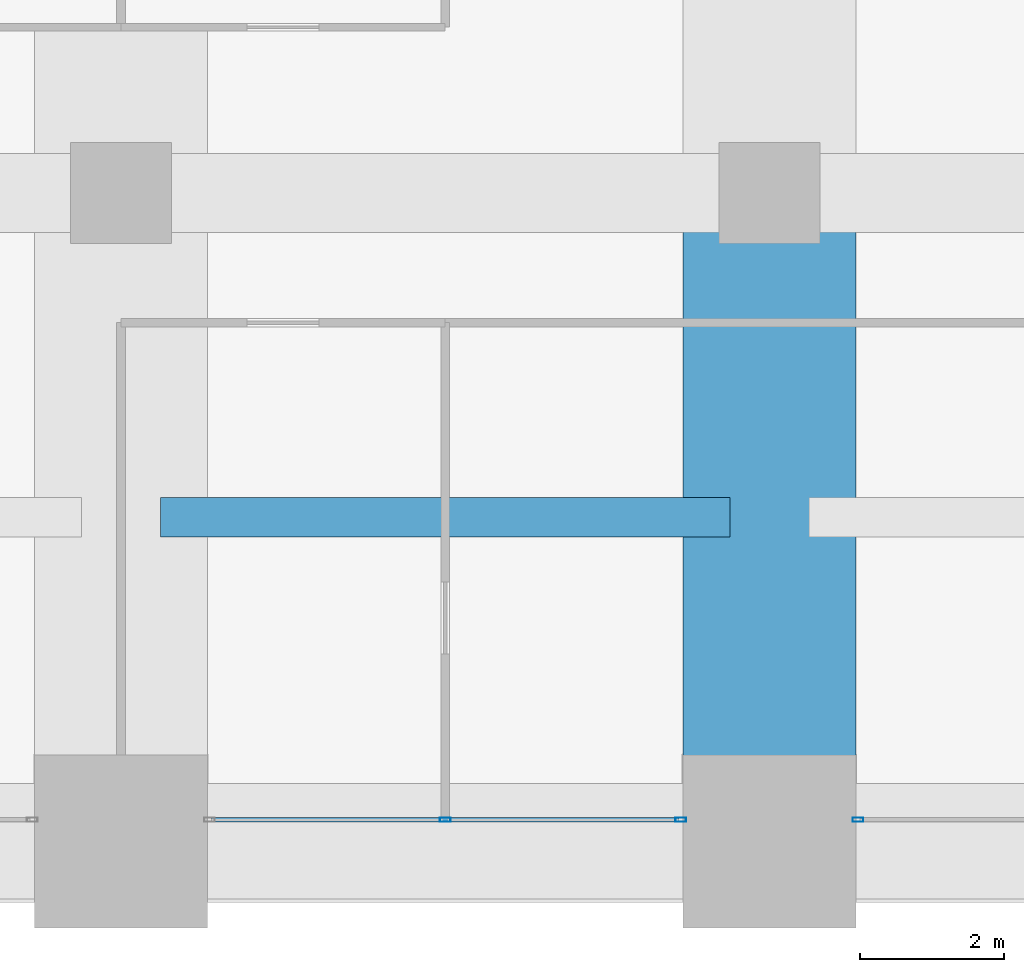
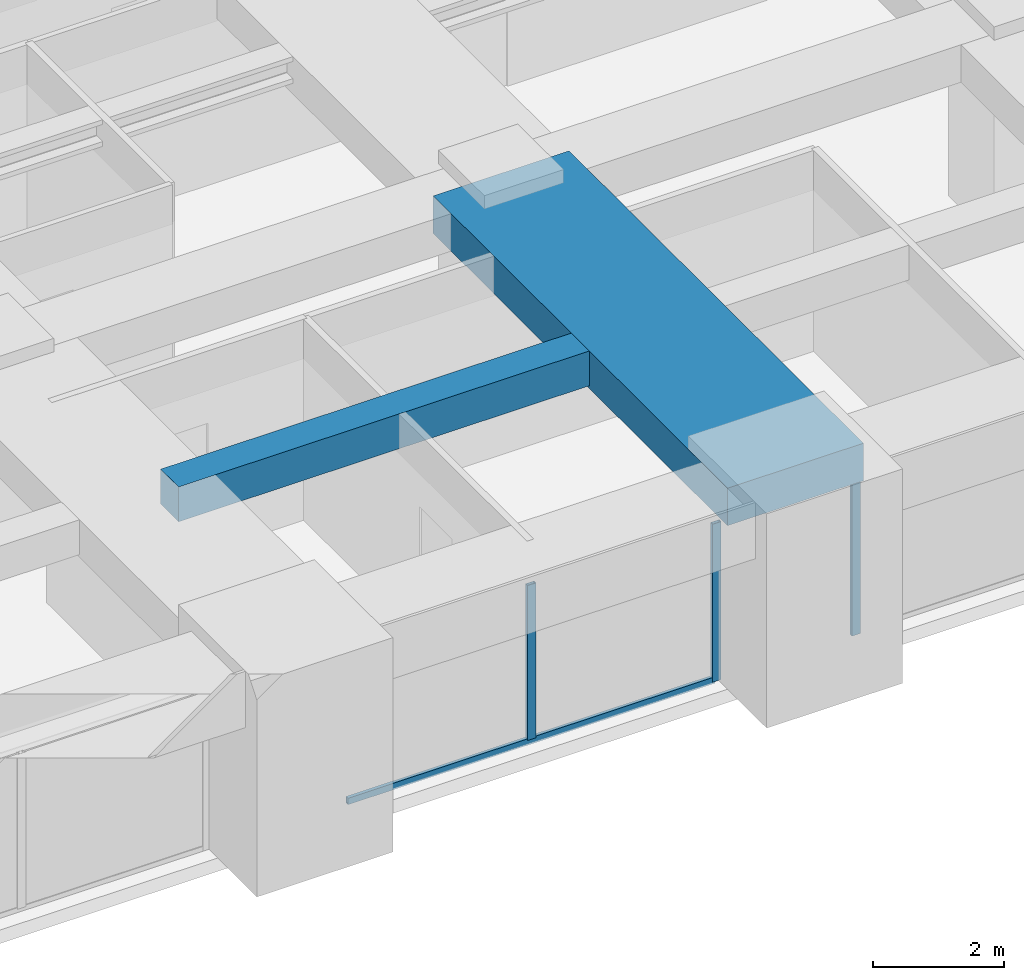
# One storey, part 13 of 34: 4 members, 2 beams, 2 elements without a shape of their own.
"""IFC4 building model written with IfcOpenShell, lengths in metres."""

from ifc_helpers import new_model, si_unit, direction, frame, origin, origin_2d, place, context, subcontext, project, spatial, rectangle, hollow_rectangle, extrude, material, material_profile, profile_set, type_object, element, aggregate, save


model = new_model("IFC4")

# Units and contexts
model_context = context("Model", 3, precision=1e-05, world=origin(), true_north=direction((0.0, 1.0)))
body_context = subcontext(model_context, "Body", "Model", "MODEL_VIEW")
ifc_project = project(units=[si_unit("LENGTHUNIT", "METRE"), si_unit("AREAUNIT", "SQUARE_METRE"), si_unit("VOLUMEUNIT", "CUBIC_METRE"), si_unit("PLANEANGLEUNIT", "RADIAN"), si_unit("MASSUNIT", "GRAM", prefix="KILO")], contexts=[model_context])

# Site, building, storey
site_placement = place(None, origin())
site = spatial("IfcSite", under=ifc_project, at=site_placement, CompositionType="ELEMENT")
building_placement = place(site_placement, origin())
building = spatial("IfcBuilding", under=site, at=building_placement, Name="Zorevar Civic Tower", CompositionType="ELEMENT")
storey_placement = place(building_placement, frame((0.0, 0.0, 226.199951171875)))
storey = spatial("IfcBuildingStorey", under=building, at=storey_placement, Name="L55", CompositionType="ELEMENT", Elevation=226.199951171875)

# Beams
ifc_material_1 = material(Name="Concrete C50/60", Category="concrete")
ifc_material_profile_1 = material_profile(ifc_material_1, rectangle(XDim=2.39990234375, YDim=0.699951171875, at=origin_2d()), Name="RC 2400x700")
ifc_profile_set_1 = profile_set([ifc_material_profile_1], Name="Concrete C50/60")
beam_type_1 = type_object("IfcBeamType", Name="Beam RC 2400x700", PredefinedType="BEAM", material=ifc_profile_set_1)
beam_1_placement = place(storey_placement, frame((36.0, 0.0, 3.400146484375), z_axis=(0.0, 1.0, 0.0), x_axis=(-1.0, 0.0, 0.0)))
element("IfcBeam", 1, at=beam_1_placement, inside=storey, type_object=beam_type_1, Name="Girder L56", PredefinedType="BEAM", context=body_context, shape_type="SweptSolid", body=[
    extrude(rectangle(XDim=2.39990234375, YDim=0.699951171875, at=origin_2d()), origin(), (0.0, 0.0, 1.0), 9.0),
])
ifc_material_2 = material(Name="Concrete C50/60", Category="concrete")
ifc_material_profile_2 = material_profile(ifc_material_2, rectangle(XDim=0.550048828125, YDim=0.64990234375, at=origin_2d()), Name="RC 550x650")
ifc_profile_set_2 = profile_set([ifc_material_profile_2], Name="Concrete C50/60")
beam_type_2 = type_object("IfcBeamType", Name="Beam RC 550x650", PredefinedType="BEAM", material=ifc_profile_set_2)
beam_2_placement = place(storey_placement, frame((27.550048828125, 4.5, 3.425048828125), z_axis=(1.0, 0.0, 0.0), x_axis=(0.0, 1.0, 0.0)))
element("IfcBeam", 2, at=beam_2_placement, inside=storey, type_object=beam_type_2, Name="Secondary beam L56", PredefinedType="BEAM", context=body_context, shape_type="SweptSolid", body=[
    extrude(rectangle(XDim=0.550048828125, YDim=0.64990234375, at=origin_2d()), origin(), (0.0, 0.0, 1.0), 7.89990234375),
])

# Curtain wall, members
ifc_material_3 = material(Name="Dark grey solar-control glass in black aluminium frame", Category="aluminium")
curtain_wall_type = type_object("IfcCurtainWallType", Name="Curtain wall CW4 high zone", PredefinedType="NOTDEFINED", material=ifc_material_3)
curtain_wall_1_placement = place(storey_placement, origin())
curtain_wall_1 = element("IfcCurtainWall", 3, at=curtain_wall_1_placement, inside=storey, type_object=curtain_wall_type, Name="CW4 L55", PredefinedType="NOTDEFINED")
ifc_material_4 = material(Name="Aluminium, black anodised", Category="aluminium")
ifc_material_profile_3 = material_profile(ifc_material_4, hollow_rectangle(XDim=0.06005859375, YDim=0.14990234375, WallThickness=0.00390625, at=origin_2d()), Name="AL 150x60x4")
ifc_profile_set_3 = profile_set([ifc_material_profile_3], Name="Aluminium, black anodised")
member_type_1 = type_object("IfcMemberType", Name="CW4 mullion AL 150x60x4", PredefinedType="MULLION", material=ifc_profile_set_3)
member_1_placement = place(storey_placement, frame((31.5, 0.300048828125, 0.06005859375), z_axis=(0.0, 0.0, 1.0), x_axis=(0.0, 1.0, 0.0)))
member_1 = element("IfcMember", 4, at=member_1_placement, type_object=member_type_1, Name="CW4 mullion 2", PredefinedType="MULLION", context=body_context, shape_type="SweptSolid", body=[
    extrude(hollow_rectangle(XDim=0.06005859375, YDim=0.14990234375, WallThickness=0.00390625, at=origin_2d()), origin(), (0.0, 0.0, 1.0), 2.889892578125),
])
member_2_placement = place(storey_placement, frame((34.77001953125, 0.300048828125, 0.0), z_axis=(0.0, 0.0, 1.0), x_axis=(0.0, 1.0, 0.0)))
member_2 = element("IfcMember", 5, at=member_2_placement, type_object=member_type_1, Name="CW4 mullion 3", PredefinedType="MULLION", context=body_context, shape_type="SweptSolid", body=[
    extrude(hollow_rectangle(XDim=0.06005859375, YDim=0.14990234375, WallThickness=0.00390625, at=origin_2d()), origin(), (0.0, 0.0, 1.0), 2.949951171875),
])

# Curtain wall, member
curtain_wall_2_placement = place(storey_placement, origin())
curtain_wall_2 = element("IfcCurtainWall", 6, at=curtain_wall_2_placement, inside=storey, type_object=curtain_wall_type, Name="CW4 L55", PredefinedType="NOTDEFINED")
member_3_placement = place(storey_placement, frame((37.22998046875, 0.300048828125, 0.0), z_axis=(0.0, 0.0, 1.0), x_axis=(0.0, 1.0, 0.0)))
member_3 = element("IfcMember", 7, at=member_3_placement, type_object=member_type_1, Name="CW4 mullion 1", PredefinedType="MULLION", context=body_context, shape_type="SweptSolid", body=[
    extrude(hollow_rectangle(XDim=0.06005859375, YDim=0.14990234375, WallThickness=0.00390625, at=origin_2d()), origin(), (0.0, 0.0, 1.0), 2.949951171875),
])
aggregate(curtain_wall_2, [member_3])

# Member
ifc_material_5 = material(Name="Aluminium, black anodised", Category="aluminium")
ifc_material_profile_4 = material_profile(ifc_material_5, hollow_rectangle(XDim=0.06005859375, YDim=0.1201171875, WallThickness=0.0029296875, at=origin_2d()), Name="AL 120x60x3")
ifc_profile_set_4 = profile_set([ifc_material_profile_4], Name="Aluminium, black anodised")
member_type_2 = type_object("IfcMemberType", Name="CW4 transom AL 120x60x3", PredefinedType="USERDEFINED", material=ifc_profile_set_4)
member_4_placement = place(storey_placement, frame((28.260009765625, 0.300048828125, 0.030029296875), z_axis=(1.0, 0.0, 0.0), x_axis=(0.0, 1.0, 0.0)))
member_4 = element("IfcMember", 8, at=member_4_placement, type_object=member_type_2, Name="CW4 sill transom", ObjectType="TRANSOM", PredefinedType="USERDEFINED", context=body_context, shape_type="SweptSolid", body=[
    extrude(hollow_rectangle(XDim=0.06005859375, YDim=0.1201171875, WallThickness=0.0029296875, at=origin_2d()), origin(), (0.0, 0.0, 1.0), 6.47998046875),
])

aggregate(curtain_wall_1, [member_1, member_2, member_4])

save(model, "model.ifc")
